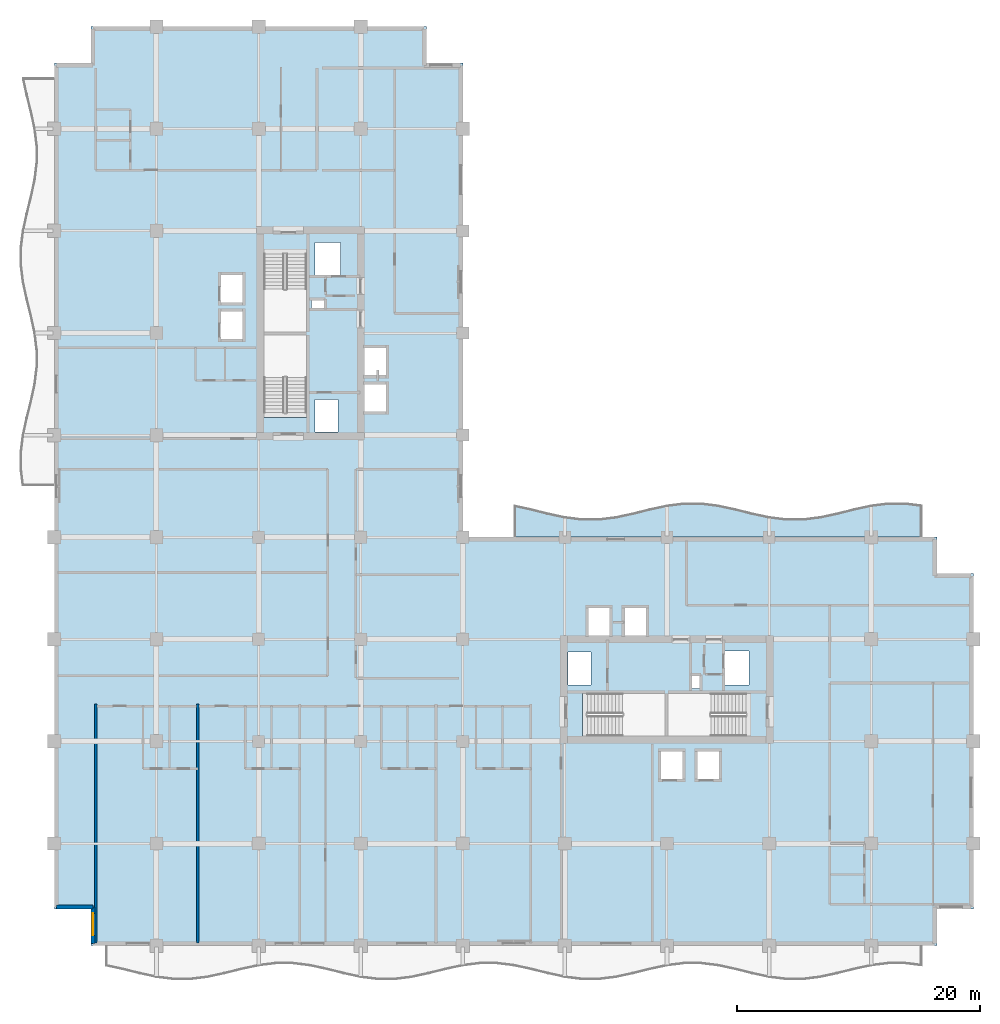
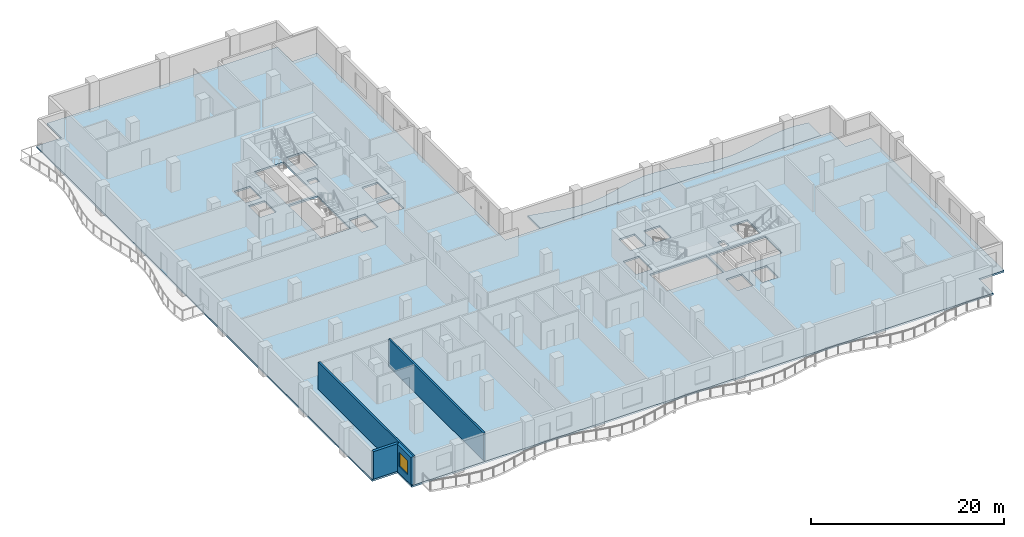
# One storey, part 3 of 14: 4 walls, 2 slabs, 1 window, 1 opening.
"""IFC4 building model written with IfcOpenShell, lengths in metres."""

from ifc_helpers import new_model, si_unit, direction, frame, frame_2d, origin, place, context, subcontext, project, spatial, polyline, rectangle, outline, extrude, material, layer, layer_set, type_object, element, fill, save


model = new_model("IFC4")

# Units and contexts
model_context = context("Model", 3, precision=1e-05, world=origin(), true_north=direction((0.0, 1.0)))
body_context = subcontext(model_context, "Body", "Model", "MODEL_VIEW")
ifc_project = project(units=[si_unit("LENGTHUNIT", "METRE"), si_unit("AREAUNIT", "SQUARE_METRE"), si_unit("VOLUMEUNIT", "CUBIC_METRE"), si_unit("PLANEANGLEUNIT", "RADIAN"), si_unit("MASSUNIT", "GRAM", prefix="KILO")], contexts=[model_context])

# Site, building, storey
site_placement = place(None, origin())
site = spatial("IfcSite", under=ifc_project, at=site_placement, CompositionType="ELEMENT")
building_placement = place(site_placement, origin())
building = spatial("IfcBuilding", under=site, at=building_placement, Name="Koriwani Terraces Tower", CompositionType="ELEMENT")
storey_placement = place(building_placement, frame((0.0, 0.0, 201.300048828125)))
storey = spatial("IfcBuildingStorey", under=building, at=storey_placement, Name="L49", CompositionType="ELEMENT", Elevation=201.300048828125)

# Slabs
ifc_material_1 = material(Name="Concrete C40/50", Category="concrete")
ifc_layer_1 = layer(ifc_material_1, 0.219970703125, Name="Concrete C40/50")
ifc_layer_set_1 = layer_set([ifc_layer_1], Name="Concrete C40/50")
slab_type_1 = type_object("IfcSlabType", Name="SLAB_BALCONY_220", PredefinedType="FLOOR", material=ifc_layer_set_1)
slab_1_placement = place(storey_placement, frame((0.0, 0.0, -0.219970703125)))
element("IfcSlab", 1, at=slab_1_placement, inside=storey, type_object=slab_type_1, Name="L49 Quilted Circular-Arc Balcony (NE)", PredefinedType="FLOOR", context=body_context, shape_type="SweptSolid", body=[
    extrude(outline(polyline([(71.39990234375, 33.60009765625), (70.0, 33.60009765625), (68.60009765625, 33.60009765625), (67.199951171875, 33.60009765625), (65.800048828125, 33.60009765625), (64.39990234375, 33.60009765625), (63.0, 33.60009765625), (61.60009765625, 33.60009765625), (60.199951171875, 33.60009765625), (58.800048828125, 33.60009765625), (57.39990234375, 33.60009765625), (56.0, 33.60009765625), (54.60009765625, 33.60009765625), (53.199951171875, 33.60009765625), (51.800048828125, 33.60009765625), (50.39990234375, 33.60009765625), (49.0, 33.60009765625), (47.60009765625, 33.60009765625), (46.199951171875, 33.60009765625), (44.800048828125, 33.60009765625), (43.39990234375, 33.60009765625), (42.0, 33.60009765625), (40.60009765625, 33.60009765625), (39.199951171875, 33.60009765625), (37.800048828125, 33.60009765625), (37.800048828125, 36.252197265625), (39.199951171875, 35.94970703125), (40.60009765625, 35.600341796875), (42.0, 35.297607421875), (43.39990234375, 35.123046875), (44.800048828125, 35.123046875), (46.199951171875, 35.297607421875), (47.60009765625, 35.600341796875), (49.0, 35.94970703125), (50.39990234375, 36.252197265625), (51.800048828125, 36.427001953125), (53.199951171875, 36.427001953125), (54.60009765625, 36.252197265625), (56.0, 35.94970703125), (57.39990234375, 35.600341796875), (58.800048828125, 35.297607421875), (60.199951171875, 35.123046875), (61.60009765625, 35.123046875), (63.0, 35.297607421875), (64.39990234375, 35.600341796875), (65.800048828125, 35.94970703125), (67.199951171875, 36.252197265625), (68.60009765625, 36.427001953125), (70.0, 36.427001953125), (71.39990234375, 36.252197265625), (71.39990234375, 33.60009765625)])), origin(), (0.0, 0.0, 1.0), 0.219970703125),
])
ifc_layer_2 = layer(ifc_material_1, 0.22998046875, Name="Concrete C40/50")
ifc_layer_set_2 = layer_set([ifc_layer_2], Name="Concrete C40/50")
slab_type_2 = type_object("IfcSlabType", Name="SLAB_RES_TYP_230", PredefinedType="FLOOR", material=ifc_layer_set_2)
slab_2_placement = place(storey_placement, frame((0.0, 0.0, -0.22998046875)))
element("IfcSlab", 2, at=slab_2_placement, inside=storey, type_object=slab_type_2, Name="L49 Structural Floor Slab", PredefinedType="FLOOR", context=body_context, shape_type="SweptSolid", body=[
    extrude(outline(polyline([(3.0, 0.0), (72.60009765625, 0.0), (72.60009765625, 3.0), (75.60009765625, 3.0), (75.60009765625, 30.60009765625), (72.60009765625, 30.60009765625), (72.60009765625, 33.60009765625), (33.60009765625, 33.60009765625), (33.60009765625, 72.60009765625), (30.60009765625, 72.60009765625), (30.60009765625, 75.60009765625), (3.0, 75.60009765625), (3.0, 72.60009765625), (0.0, 72.60009765625), (0.0, 3.0), (3.0, 3.0), (3.0, 0.0)]), holes=[polyline([(17.25, 43.4599609375), (20.75, 43.4599609375), (20.75, 50.25), (17.25, 50.25), (17.25, 43.4599609375)]), polyline([(17.25, 50.5), (20.75, 50.5), (20.75, 57.2900390625), (17.25, 57.2900390625), (17.25, 50.5)]), polyline([(43.4599609375, 17.25), (50.25, 17.25), (50.25, 20.75), (43.4599609375, 20.75), (43.4599609375, 17.25)]), polyline([(50.5, 17.25), (57.2900390625, 17.25), (57.2900390625, 20.75), (50.5, 20.75), (50.5, 17.25)]), polyline([(13.64990234375, 49.85009765625), (15.550048828125, 49.85009765625), (15.550048828125, 52.25), (13.64990234375, 52.25), (13.64990234375, 49.85009765625)]), polyline([(13.64990234375, 52.85009765625), (15.550048828125, 52.85009765625), (15.550048828125, 55.25), (13.64990234375, 55.25), (13.64990234375, 52.85009765625)]), polyline([(49.85009765625, 13.64990234375), (51.75, 13.64990234375), (51.75, 16.050048828125), (49.85009765625, 16.050048828125), (49.85009765625, 13.64990234375)]), polyline([(52.85009765625, 13.64990234375), (54.75, 13.64990234375), (54.75, 16.050048828125), (52.85009765625, 16.050048828125), (52.85009765625, 13.64990234375)]), polyline([(25.449951171875, 43.85009765625), (27.35009765625, 43.85009765625), (27.35009765625, 46.25), (25.449951171875, 46.25), (25.449951171875, 43.85009765625)]), polyline([(25.449951171875, 46.85009765625), (27.35009765625, 46.85009765625), (27.35009765625, 49.25), (25.449951171875, 49.25), (25.449951171875, 46.85009765625)]), polyline([(43.85009765625, 25.449951171875), (45.75, 25.449951171875), (45.75, 27.85009765625), (43.85009765625, 27.85009765625), (43.85009765625, 25.449951171875)]), polyline([(46.85009765625, 25.449951171875), (48.75, 25.449951171875), (48.75, 27.85009765625), (46.85009765625, 27.85009765625), (46.85009765625, 25.449951171875)]), polyline([(21.449951171875, 55.050048828125), (23.550048828125, 55.050048828125), (23.550048828125, 57.85009765625), (21.449951171875, 57.85009765625), (21.449951171875, 55.050048828125)]), polyline([(55.050048828125, 21.449951171875), (57.14990234375, 21.449951171875), (57.14990234375, 24.25), (55.050048828125, 24.25), (55.050048828125, 21.449951171875)]), polyline([(21.449951171875, 42.25), (23.35009765625, 42.25), (23.35009765625, 44.949951171875), (21.449951171875, 44.949951171875), (21.449951171875, 42.25)]), polyline([(42.25, 21.449951171875), (44.14990234375, 21.449951171875), (44.14990234375, 24.14990234375), (42.25, 24.14990234375), (42.25, 21.449951171875)]), polyline([(21.14990234375, 52.419921875), (22.219970703125, 52.419921875), (22.219970703125, 53.179931640625), (21.14990234375, 53.179931640625), (21.14990234375, 52.419921875)]), polyline([(52.419921875, 21.14990234375), (53.179931640625, 21.14990234375), (53.179931640625, 22.219970703125), (52.419921875, 22.219970703125), (52.419921875, 21.14990234375)])]), origin(), (0.0, 0.0, 1.0), 0.22998046875),
])

# Walls
ifc_material_2 = material(Name="Autoclaved Cellular Concrete Blockwork", Category="masonry")
ifc_layer_3 = layer(ifc_material_2, 0.219970703125, Name="Autoclaved Cellular Concrete Blockwork")
ifc_layer_set_3 = layer_set([ifc_layer_3], Name="Autoclaved Cellular Concrete Blockwork")
wall_type_1 = type_object("IfcWallType", Name="WALL_DEMISING_220", PredefinedType="PARTITIONING", material=ifc_layer_set_3)
for number, where, z_axis, x_axis, name in (
    (3, (3.39990234375, 0.199951171875, 0.0), (0.0, 0.0, 1.0), (0.0, 1.0, 0.0), "L49 Interior Wall WRDEM-L49-SW-0"),
    (4, (11.800048828125, 0.199951171875, 0.0), (0.0, 0.0, 1.0), (0.0, 1.0, 0.0), "L49 Interior Wall WRDEM-L49-SW-1"),
):
    element("IfcWall", number, at=place(storey_placement, frame(where, z_axis=z_axis, x_axis=x_axis)), inside=storey, type_object=wall_type_1, Name=name, PredefinedType="PARTITIONING", context=body_context, shape_type="SweptSolid", body=[
        extrude(rectangle(XDim=19.679931640625, YDim=0.219970703125, at=frame_2d((9.83984375, 0.0))), origin(), (0.0, 0.0, 1.0), 3.469970703125),
    ])

# Wall, opening, window
ifc_material_3 = material(Name="Concrete C50/60", Category="concrete")
ifc_layer_4 = layer(ifc_material_3, 0.35009765625, Name="Concrete C50/60")
ifc_layer_set_4 = layer_set([ifc_layer_4], Name="Concrete C50/60")
wall_type_2 = type_object("IfcWallType", Name="WALL_EXT_BRUTALIST_350", PredefinedType="STANDARD", material=ifc_layer_set_4)
wall_1_placement = place(storey_placement, frame((3.175048828125, 0.175048828125, 0.0), z_axis=(0.0, 0.0, 1.0), x_axis=(0.0, 1.0, 0.0)))
wall_1 = element("IfcWall", 5, at=wall_1_placement, inside=storey, type_object=wall_type_2, Name="L49 Fair-Faced Brutalist Exterior Wall (N0)", PredefinedType="STANDARD", context=body_context, shape_type="SweptSolid", body=[
    extrude(rectangle(XDim=3.0, YDim=0.35009765625, at=frame_2d((1.5, 0.0))), origin(), (0.0, 0.0, 1.0), 3.469970703125),
])
opening_placement = place(wall_1_placement, frame((0.677490234375, 0.0, 0.85009765625)))
opening = element("IfcOpeningElement", 6, at=opening_placement, cuts=wall_1, Name="Opening W-04", PredefinedType="OPENING", context=body_context, shape_type="SweptSolid", body=[
    extrude(rectangle(XDim=1.800048828125, YDim=1.800048828125, at=frame_2d((0.89990234375, 0.89990234375))), frame((0.0, 0.18505859375, 0.0), z_axis=(0.0, -1.0, 0.0), x_axis=(1.0, 0.0, 0.0)), (0.0, 0.0, 1.0), 0.3701171875),
])
ifc_material_4 = material(Name="Tempered Laminated Low-E Glass", Category="glass")
window_type = type_object("IfcWindowType", Name="WIN_RES_BED_1800X1800", PartitioningType="DOUBLE_PANEL_VERTICAL", PredefinedType="WINDOW", material=ifc_material_4)
window_placement = place(opening_placement, origin())
window = element("IfcWindow", 7, at=window_placement, inside=storey, type_object=window_type, Name="L49 Exterior Window (N0-R35)", OverallHeight=1.800048828125, OverallWidth=1.800048828125, PartitioningType="SINGLE_PANEL", PredefinedType="WINDOW", context=body_context, shape_type="SweptSolid", body=[
    extrude(rectangle(XDim=1.800048828125, YDim=1.800048828125, at=frame_2d((0.89990234375, 0.89990234375))), frame((0.0, 0.030029296875, 0.0), z_axis=(0.0, -1.0, 0.0), x_axis=(1.0, 0.0, 0.0)), (0.0, 0.0, 1.0), 0.06005859375),
])
fill(opening, window)

# Wall
wall_2_placement = place(storey_placement, frame((3.175048828125, 3.175048828125, 0.0), z_axis=(0.0, 0.0, 1.0), x_axis=(-1.0, 0.0, 0.0)))
element("IfcWall", 8, at=wall_2_placement, inside=storey, type_object=wall_type_2, Name="L49 Fair-Faced Brutalist Exterior Wall (N1)", PredefinedType="STANDARD", context=body_context, shape_type="SweptSolid", body=[
    extrude(rectangle(XDim=3.0, YDim=0.35009765625, at=frame_2d((1.5, 0.0))), origin(), (0.0, 0.0, 1.0), 3.469970703125),
])

save(model, "model.ifc")
